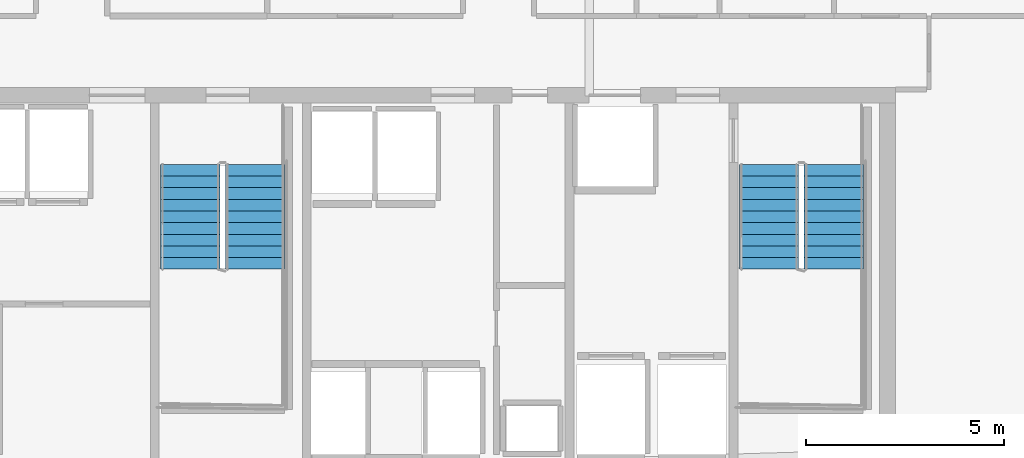
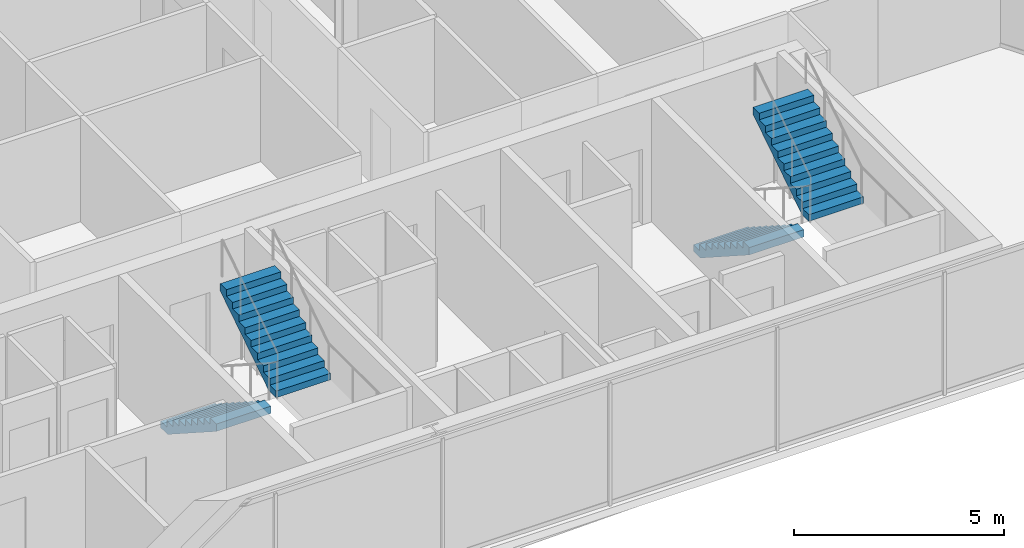
# One storey, part 30 of 33: 4 stair flights, 2 elements without a shape of their own.
"""IFC4 building model written with IfcOpenShell, lengths in metres."""

from ifc_helpers import new_model, si_unit, direction, frame, origin, place, context, subcontext, project, spatial, polyline, outline, extrude, material, type_object, element, aggregate, save


model = new_model("IFC4")

# Units and contexts
model_context = context("Model", 3, precision=1e-05, world=origin(), true_north=direction((0.0, 1.0)))
body_context = subcontext(model_context, "Body", "Model", "MODEL_VIEW")
ifc_project = project(units=[si_unit("LENGTHUNIT", "METRE"), si_unit("AREAUNIT", "SQUARE_METRE"), si_unit("VOLUMEUNIT", "CUBIC_METRE"), si_unit("PLANEANGLEUNIT", "RADIAN"), si_unit("MASSUNIT", "GRAM", prefix="KILO")], contexts=[model_context])

# Site, building, storey
site_placement = place(None, origin())
site = spatial("IfcSite", under=ifc_project, at=site_placement, CompositionType="ELEMENT")
building_placement = place(site_placement, origin())
building = spatial("IfcBuilding", under=site, at=building_placement, Name="Ndaravel Arena Tower", CompositionType="ELEMENT")
storey_placement = place(building_placement, frame((0.0, 0.0, 161.199951171875)))
storey = spatial("IfcBuildingStorey", under=building, at=storey_placement, Name="L38", CompositionType="ELEMENT", Elevation=161.199951171875)

# Stair, stair flights
ifc_material_1 = material(Name="Concrete C40/50", Category="concrete")
stair_type = type_object("IfcStairType", Name="STAIR-CORE-HT", PredefinedType="HALF_TURN_STAIR", material=ifc_material_1)
stair_1_placement = place(storey_placement, origin())
stair_1 = element("IfcStair", 1, at=stair_1_placement, inside=storey, type_object=stair_type, Name="L38 ST-2", PredefinedType="HALF_TURN_STAIR")
ifc_material_2 = material(Name="Concrete C40/50", Category="concrete")
stair_flight_type = type_object("IfcStairFlightType", Name="SFLIGHT-CORE-1680", PredefinedType="STRAIGHT", material=ifc_material_2)
stair_flight_1_placement = place(storey_placement, frame((39.699951171875, 13.25, 0.0), z_axis=(0.0, 0.0, 1.0), x_axis=(0.0, -1.0, 0.0)))
stair_flight_1 = element("IfcStairFlight", 2, at=stair_flight_1_placement, type_object=stair_flight_type, Name="ST-2 flight 1", NumberOfRisers=10, NumberOfTreads=9, PredefinedType="STRAIGHT", RiserHeight=0.19, TreadLength=0.295, context=body_context, shape_type="SweptSolid", body=[
    extrude(outline(polyline([(0.0, 0.0), (0.0, 0.18994140625), (0.294921875, 0.18994140625), (0.294921875, 0.3798828125), (0.590087890625, 0.3798828125), (0.590087890625, 0.570068359375), (0.885009765625, 0.570068359375), (0.885009765625, 0.760009765625), (1.179931640625, 0.760009765625), (1.179931640625, 0.949951171875), (1.47509765625, 0.949951171875), (1.47509765625, 1.139892578125), (1.77001953125, 1.139892578125), (1.77001953125, 1.330078125), (2.06494140625, 1.330078125), (2.06494140625, 1.52001953125), (2.360107421875, 1.52001953125), (2.360107421875, 1.7099609375), (2.655029296875, 1.7099609375), (2.655029296875, 1.89990234375), (2.655029296875, 1.49609375), (0.332275390625, 0.0), (0.0, 0.0)])), frame((0.0, 0.75, 0.0), z_axis=(0.0, -1.0, 0.0), x_axis=(1.0, 0.0, 0.0)), (0.0, 0.0, 1.0), 1.5),
])
stair_flight_2_placement = place(storey_placement, frame((41.340087890625, 10.594970703125, 1.900146484375), z_axis=(0.0, 0.0, 1.0), x_axis=(0.0, 1.0, 0.0)))
stair_flight_2 = element("IfcStairFlight", 3, at=stair_flight_2_placement, type_object=stair_flight_type, Name="ST-2 flight 2", NumberOfRisers=10, NumberOfTreads=9, PredefinedType="STRAIGHT", RiserHeight=0.19, TreadLength=0.295, context=body_context, shape_type="SweptSolid", body=[
    extrude(outline(polyline([(0.0, 0.0), (0.0, 0.18994140625), (0.294921875, 0.18994140625), (0.294921875, 0.3798828125), (0.590087890625, 0.3798828125), (0.590087890625, 0.570068359375), (0.885009765625, 0.570068359375), (0.885009765625, 0.760009765625), (1.179931640625, 0.760009765625), (1.179931640625, 0.949951171875), (1.47509765625, 0.949951171875), (1.47509765625, 1.139892578125), (1.77001953125, 1.139892578125), (1.77001953125, 1.330078125), (2.06494140625, 1.330078125), (2.06494140625, 1.52001953125), (2.360107421875, 1.52001953125), (2.360107421875, 1.7099609375), (2.655029296875, 1.7099609375), (2.655029296875, 1.89990234375), (2.655029296875, 1.49609375), (0.332275390625, 0.0), (0.0, 0.0)])), frame((0.0, 0.75, 0.0), z_axis=(0.0, -1.0, 0.0), x_axis=(1.0, 0.0, 0.0)), (0.0, 0.0, 1.0), 1.5),
])
aggregate(stair_1, [stair_flight_1, stair_flight_2])

stair_2_placement = place(storey_placement, origin())
stair_2 = element("IfcStair", 4, at=stair_2_placement, inside=storey, type_object=stair_type, Name="L38 ST-3", PredefinedType="HALF_TURN_STAIR")
stair_flight_3_placement = place(storey_placement, frame((54.35009765625, 13.25, 0.0), z_axis=(0.0, 0.0, 1.0), x_axis=(0.0, -1.0, 0.0)))
stair_flight_3 = element("IfcStairFlight", 5, at=stair_flight_3_placement, type_object=stair_flight_type, Name="ST-3 flight 1", NumberOfRisers=10, NumberOfTreads=9, PredefinedType="STRAIGHT", RiserHeight=0.19, TreadLength=0.295, context=body_context, shape_type="SweptSolid", body=[
    extrude(outline(polyline([(0.0, 0.0), (0.0, 0.18994140625), (0.294921875, 0.18994140625), (0.294921875, 0.3798828125), (0.590087890625, 0.3798828125), (0.590087890625, 0.570068359375), (0.885009765625, 0.570068359375), (0.885009765625, 0.760009765625), (1.179931640625, 0.760009765625), (1.179931640625, 0.949951171875), (1.47509765625, 0.949951171875), (1.47509765625, 1.139892578125), (1.77001953125, 1.139892578125), (1.77001953125, 1.330078125), (2.06494140625, 1.330078125), (2.06494140625, 1.52001953125), (2.360107421875, 1.52001953125), (2.360107421875, 1.7099609375), (2.655029296875, 1.7099609375), (2.655029296875, 1.89990234375), (2.655029296875, 1.49609375), (0.332275390625, 0.0), (0.0, 0.0)])), frame((0.0, 0.75, 0.0), z_axis=(0.0, -1.0, 0.0), x_axis=(1.0, 0.0, 0.0)), (0.0, 0.0, 1.0), 1.5),
])
stair_flight_4_placement = place(storey_placement, frame((55.989990234375, 10.594970703125, 1.900146484375), z_axis=(0.0, 0.0, 1.0), x_axis=(0.0, 1.0, 0.0)))
stair_flight_4 = element("IfcStairFlight", 6, at=stair_flight_4_placement, type_object=stair_flight_type, Name="ST-3 flight 2", NumberOfRisers=10, NumberOfTreads=9, PredefinedType="STRAIGHT", RiserHeight=0.19, TreadLength=0.295, context=body_context, shape_type="SweptSolid", body=[
    extrude(outline(polyline([(0.0, 0.0), (0.0, 0.18994140625), (0.294921875, 0.18994140625), (0.294921875, 0.3798828125), (0.590087890625, 0.3798828125), (0.590087890625, 0.570068359375), (0.885009765625, 0.570068359375), (0.885009765625, 0.760009765625), (1.179931640625, 0.760009765625), (1.179931640625, 0.949951171875), (1.47509765625, 0.949951171875), (1.47509765625, 1.139892578125), (1.77001953125, 1.139892578125), (1.77001953125, 1.330078125), (2.06494140625, 1.330078125), (2.06494140625, 1.52001953125), (2.360107421875, 1.52001953125), (2.360107421875, 1.7099609375), (2.655029296875, 1.7099609375), (2.655029296875, 1.89990234375), (2.655029296875, 1.49609375), (0.332275390625, 0.0), (0.0, 0.0)])), frame((0.0, 0.75, 0.0), z_axis=(0.0, -1.0, 0.0), x_axis=(1.0, 0.0, 0.0)), (0.0, 0.0, 1.0), 1.5),
])
aggregate(stair_2, [stair_flight_3, stair_flight_4])

save(model, "model.ifc")
